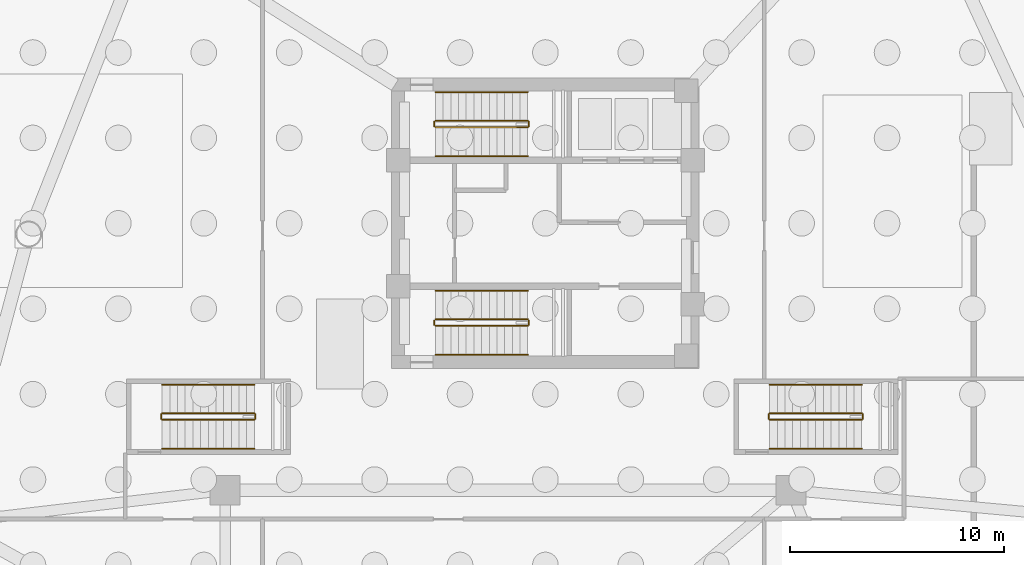
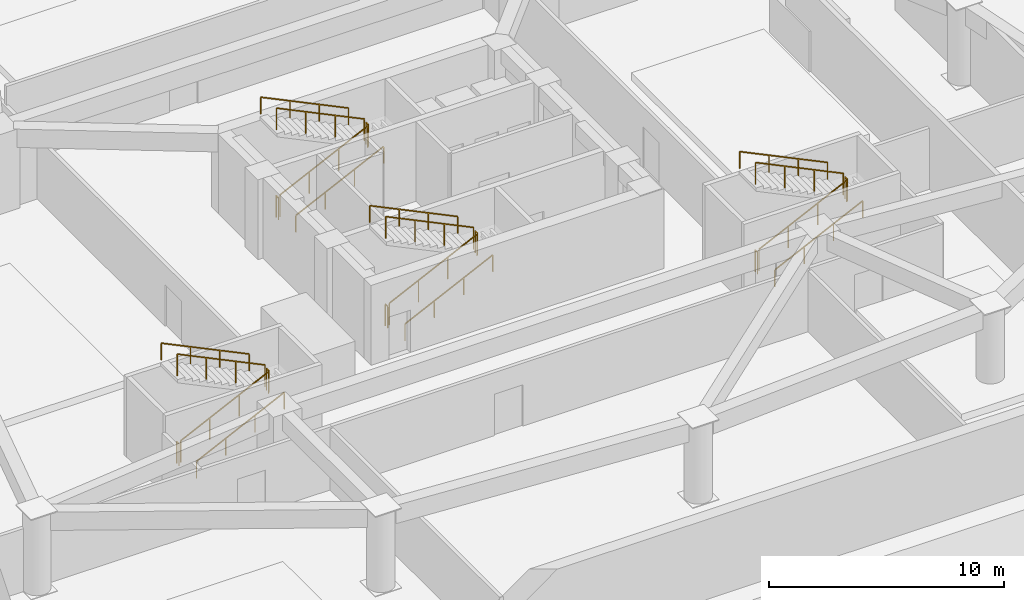
# One storey, part 9 of 11: 24 railings.
"""IFC4 building model written with IfcOpenShell, lengths in metres."""

from ifc_helpers import new_model, si_unit, direction, frame, origin, origin_2d, place, context, subcontext, project, spatial, rectangle, extrude, material, type_object, element, save


model = new_model("IFC4")

# Units and contexts
model_context = context("Model", 3, precision=1e-05, world=origin(), true_north=direction((0.0, 1.0)))
body_context = subcontext(model_context, "Body", "Model", "MODEL_VIEW")
ifc_project = project(units=[si_unit("LENGTHUNIT", "METRE"), si_unit("AREAUNIT", "SQUARE_METRE"), si_unit("VOLUMEUNIT", "CUBIC_METRE"), si_unit("PLANEANGLEUNIT", "RADIAN"), si_unit("MASSUNIT", "GRAM", prefix="KILO")], contexts=[model_context])

# Site, building, storey
site_placement = place(None, origin())
site = spatial("IfcSite", under=ifc_project, at=site_placement, CompositionType="ELEMENT")
building_placement = place(site_placement, origin())
building = spatial("IfcBuilding", under=site, at=building_placement, Name="Tavelor Broadcast Tower", CompositionType="ELEMENT")
storey_placement = place(building_placement, frame((0.0, 0.0, -8.699951171875)))
storey = spatial("IfcBuildingStorey", under=building, at=storey_placement, Name="B02", CompositionType="ELEMENT", Elevation=-8.699951171875)

# Railings
ifc_material = material(Name="Steel S355", Category="steel")
railing_type_1 = type_object("IfcRailingType", Name="Continuous Brushed Stainless Handrail 900 mm", PredefinedType="HANDRAIL", material=ifc_material)
railing_1_placement = place(storey_placement, frame((44.85009765625, 48.14990234375, 0.173095703125)))
element("IfcRailing", 1, at=railing_1_placement, inside=storey, type_object=railing_type_1, Name="B02 ST1 stair handrail 1", PredefinedType="HANDRAIL", context=body_context, shape_type="SweptSolid", body=[
    extrude(rectangle(XDim=0.048095703125, YDim=0.048095703125, at=origin_2d()), frame((0.0, 0.0, 0.8759765625), z_axis=(0.901247069301, 0.0, 0.433305573558), x_axis=(0.0, 1.0, 0.0)), (0.0, 0.0, 1.0), 4.793212890625),
    extrude(rectangle(XDim=0.0419921875, YDim=0.0419921875, at=origin_2d()), origin(), (0.0, 0.0, 1.0), 0.851806640625),
    extrude(rectangle(XDim=0.0419921875, YDim=0.0419921875, at=origin_2d()), frame((1.43994140625, 0.0, 0.6923828125)), (0.0, 0.0, 1.0), 0.851806640625),
    extrude(rectangle(XDim=0.0419921875, YDim=0.0419921875, at=origin_2d()), frame((2.8798828125, 0.0, 1.384521484375)), (0.0, 0.0, 1.0), 0.851806640625),
    extrude(rectangle(XDim=0.0419921875, YDim=0.0419921875, at=origin_2d()), frame((4.31982421875, 0.0, 2.076904296875)), (0.0, 0.0, 1.0), 0.851806640625),
])
railing_2_placement = place(storey_placement, frame((49.169921875, 51.14990234375, 2.423095703125)))
element("IfcRailing", 2, at=railing_2_placement, inside=storey, type_object=railing_type_1, Name="B02 ST1 stair handrail 2", PredefinedType="HANDRAIL", context=body_context, shape_type="SweptSolid", body=[
    extrude(rectangle(XDim=0.048095703125, YDim=0.048095703125, at=origin_2d()), frame((0.0, 0.0, 0.8759765625), z_axis=(-0.901247069301, 0.0, 0.433305573558), x_axis=(0.0, -1.0, 0.0)), (0.0, 0.0, 1.0), 4.793212890625),
    extrude(rectangle(XDim=0.0419921875, YDim=0.0419921875, at=origin_2d()), origin(), (0.0, 0.0, 1.0), 0.851806640625),
    extrude(rectangle(XDim=0.0419921875, YDim=0.0419921875, at=origin_2d()), frame((-1.43994140625, 0.0, 0.6923828125)), (0.0, 0.0, 1.0), 0.851806640625),
    extrude(rectangle(XDim=0.0419921875, YDim=0.0419921875, at=origin_2d()), frame((-2.8798828125, 0.0, 1.384521484375)), (0.0, 0.0, 1.0), 0.851806640625),
    extrude(rectangle(XDim=0.0419921875, YDim=0.0419921875, at=origin_2d()), frame((-4.31982421875, 0.0, 2.076904296875)), (0.0, 0.0, 1.0), 0.851806640625),
])
railing_3_placement = place(storey_placement, frame((44.85009765625, 38.85009765625, 0.173095703125)))
element("IfcRailing", 3, at=railing_3_placement, inside=storey, type_object=railing_type_1, Name="B02 ST2 stair handrail 1", PredefinedType="HANDRAIL", context=body_context, shape_type="SweptSolid", body=[
    extrude(rectangle(XDim=0.048095703125, YDim=0.048095703125, at=origin_2d()), frame((0.0, 0.0, 0.8759765625), z_axis=(0.901247069301, 0.0, 0.433305573558), x_axis=(0.0, 1.0, 0.0)), (0.0, 0.0, 1.0), 4.793212890625),
    extrude(rectangle(XDim=0.0419921875, YDim=0.0419921875, at=origin_2d()), origin(), (0.0, 0.0, 1.0), 0.851806640625),
    extrude(rectangle(XDim=0.0419921875, YDim=0.0419921875, at=origin_2d()), frame((1.43994140625, 0.0, 0.6923828125)), (0.0, 0.0, 1.0), 0.851806640625),
    extrude(rectangle(XDim=0.0419921875, YDim=0.0419921875, at=origin_2d()), frame((2.8798828125, 0.0, 1.384521484375)), (0.0, 0.0, 1.0), 0.851806640625),
    extrude(rectangle(XDim=0.0419921875, YDim=0.0419921875, at=origin_2d()), frame((4.31982421875, 0.0, 2.076904296875)), (0.0, 0.0, 1.0), 0.851806640625),
])
railing_4_placement = place(storey_placement, frame((49.169921875, 41.85009765625, 2.423095703125)))
element("IfcRailing", 4, at=railing_4_placement, inside=storey, type_object=railing_type_1, Name="B02 ST2 stair handrail 2", PredefinedType="HANDRAIL", context=body_context, shape_type="SweptSolid", body=[
    extrude(rectangle(XDim=0.048095703125, YDim=0.048095703125, at=origin_2d()), frame((0.0, 0.0, 0.8759765625), z_axis=(-0.901247069301, 0.0, 0.433305573558), x_axis=(0.0, -1.0, 0.0)), (0.0, 0.0, 1.0), 4.793212890625),
    extrude(rectangle(XDim=0.0419921875, YDim=0.0419921875, at=origin_2d()), origin(), (0.0, 0.0, 1.0), 0.851806640625),
    extrude(rectangle(XDim=0.0419921875, YDim=0.0419921875, at=origin_2d()), frame((-1.43994140625, 0.0, 0.6923828125)), (0.0, 0.0, 1.0), 0.851806640625),
    extrude(rectangle(XDim=0.0419921875, YDim=0.0419921875, at=origin_2d()), frame((-2.8798828125, 0.0, 1.384521484375)), (0.0, 0.0, 1.0), 0.851806640625),
    extrude(rectangle(XDim=0.0419921875, YDim=0.0419921875, at=origin_2d()), frame((-4.31982421875, 0.0, 2.076904296875)), (0.0, 0.0, 1.0), 0.851806640625),
])
railing_5_placement = place(storey_placement, frame((32.050048828125, 34.449951171875, 0.173095703125)))
element("IfcRailing", 5, at=railing_5_placement, inside=storey, type_object=railing_type_1, Name="B02 ST3 stair handrail 1", PredefinedType="HANDRAIL", context=body_context, shape_type="SweptSolid", body=[
    extrude(rectangle(XDim=0.048095703125, YDim=0.048095703125, at=origin_2d()), frame((0.0, 0.0, 0.8759765625), z_axis=(0.901256631912, 0.0, 0.433285683395), x_axis=(0.0, 1.0, 0.0)), (0.0, 0.0, 1.0), 4.79345703125),
    extrude(rectangle(XDim=0.0419921875, YDim=0.0419921875, at=origin_2d()), origin(), (0.0, 0.0, 1.0), 0.851806640625),
    extrude(rectangle(XDim=0.0419921875, YDim=0.0419921875, at=origin_2d()), frame((1.43994140625, 0.0, 0.6923828125)), (0.0, 0.0, 1.0), 0.851806640625),
    extrude(rectangle(XDim=0.0419921875, YDim=0.0419921875, at=origin_2d()), frame((2.880126953125, 0.0, 1.384521484375)), (0.0, 0.0, 1.0), 0.851806640625),
    extrude(rectangle(XDim=0.0419921875, YDim=0.0419921875, at=origin_2d()), frame((4.320068359375, 0.0, 2.076904296875)), (0.0, 0.0, 1.0), 0.851806640625),
])
railing_6_placement = place(storey_placement, frame((36.3701171875, 37.449951171875, 2.423095703125)))
element("IfcRailing", 6, at=railing_6_placement, inside=storey, type_object=railing_type_1, Name="B02 ST3 stair handrail 2", PredefinedType="HANDRAIL", context=body_context, shape_type="SweptSolid", body=[
    extrude(rectangle(XDim=0.048095703125, YDim=0.048095703125, at=origin_2d()), frame((0.0, 0.0, 0.8759765625), z_axis=(-0.901256631912, 0.0, 0.433285683395), x_axis=(0.0, -1.0, 0.0)), (0.0, 0.0, 1.0), 4.79345703125),
    extrude(rectangle(XDim=0.0419921875, YDim=0.0419921875, at=origin_2d()), origin(), (0.0, 0.0, 1.0), 0.851806640625),
    extrude(rectangle(XDim=0.0419921875, YDim=0.0419921875, at=origin_2d()), frame((-1.43994140625, 0.0, 0.6923828125)), (0.0, 0.0, 1.0), 0.851806640625),
    extrude(rectangle(XDim=0.0419921875, YDim=0.0419921875, at=origin_2d()), frame((-2.880126953125, 0.0, 1.384521484375)), (0.0, 0.0, 1.0), 0.851806640625),
    extrude(rectangle(XDim=0.0419921875, YDim=0.0419921875, at=origin_2d()), frame((-4.320068359375, 0.0, 2.076904296875)), (0.0, 0.0, 1.0), 0.851806640625),
])
railing_7_placement = place(storey_placement, frame((60.5, 34.449951171875, 0.173095703125)))
element("IfcRailing", 7, at=railing_7_placement, inside=storey, type_object=railing_type_1, Name="B02 ST4 stair handrail 1", PredefinedType="HANDRAIL", context=body_context, shape_type="SweptSolid", body=[
    extrude(rectangle(XDim=0.048095703125, YDim=0.048095703125, at=origin_2d()), frame((0.0, 0.0, 0.8759765625), z_axis=(0.901256631912, 0.0, 0.433285683395), x_axis=(0.0, 1.0, 0.0)), (0.0, 0.0, 1.0), 4.79345703125),
    extrude(rectangle(XDim=0.0419921875, YDim=0.0419921875, at=origin_2d()), origin(), (0.0, 0.0, 1.0), 0.851806640625),
    extrude(rectangle(XDim=0.0419921875, YDim=0.0419921875, at=origin_2d()), frame((1.43994140625, 0.0, 0.6923828125)), (0.0, 0.0, 1.0), 0.851806640625),
    extrude(rectangle(XDim=0.0419921875, YDim=0.0419921875, at=origin_2d()), frame((2.880126953125, 0.0, 1.384521484375)), (0.0, 0.0, 1.0), 0.851806640625),
    extrude(rectangle(XDim=0.0419921875, YDim=0.0419921875, at=origin_2d()), frame((4.320068359375, 0.0, 2.076904296875)), (0.0, 0.0, 1.0), 0.851806640625),
])
railing_8_placement = place(storey_placement, frame((64.820068359375, 37.449951171875, 2.423095703125)))
element("IfcRailing", 8, at=railing_8_placement, inside=storey, type_object=railing_type_1, Name="B02 ST4 stair handrail 2", PredefinedType="HANDRAIL", context=body_context, shape_type="SweptSolid", body=[
    extrude(rectangle(XDim=0.048095703125, YDim=0.048095703125, at=origin_2d()), frame((0.0, 0.0, 0.8759765625), z_axis=(-0.901256631912, 0.0, 0.433285683395), x_axis=(0.0, -1.0, 0.0)), (0.0, 0.0, 1.0), 4.79345703125),
    extrude(rectangle(XDim=0.0419921875, YDim=0.0419921875, at=origin_2d()), origin(), (0.0, 0.0, 1.0), 0.851806640625),
    extrude(rectangle(XDim=0.0419921875, YDim=0.0419921875, at=origin_2d()), frame((-1.43994140625, 0.0, 0.6923828125)), (0.0, 0.0, 1.0), 0.851806640625),
    extrude(rectangle(XDim=0.0419921875, YDim=0.0419921875, at=origin_2d()), frame((-2.880126953125, 0.0, 1.384521484375)), (0.0, 0.0, 1.0), 0.851806640625),
    extrude(rectangle(XDim=0.0419921875, YDim=0.0419921875, at=origin_2d()), frame((-4.320068359375, 0.0, 2.076904296875)), (0.0, 0.0, 1.0), 0.851806640625),
])
railing_type_2 = type_object("IfcRailingType", Name="Stairwell Steel Safety Guardrail 1150 mm", PredefinedType="GUARDRAIL", material=ifc_material)
railing_9_placement = place(storey_placement, frame((44.85009765625, 49.5, 0.173095703125)))
element("IfcRailing", 9, at=railing_9_placement, inside=storey, type_object=railing_type_2, Name="B02 ST1 stair guard 1", PredefinedType="GUARDRAIL", context=body_context, shape_type="SweptSolid", body=[
    extrude(rectangle(XDim=0.048095703125, YDim=0.048095703125, at=origin_2d()), frame((0.0, 0.0, 1.1259765625), z_axis=(0.901247069301, 0.0, 0.433305573558), x_axis=(0.0, 1.0, 0.0)), (0.0, 0.0, 1.0), 4.793212890625),
    extrude(rectangle(XDim=0.0419921875, YDim=0.0419921875, at=origin_2d()), origin(), (0.0, 0.0, 1.0), 1.101806640625),
    extrude(rectangle(XDim=0.0419921875, YDim=0.0419921875, at=origin_2d()), frame((1.43994140625, 0.0, 0.6923828125)), (0.0, 0.0, 1.0), 1.101806640625),
    extrude(rectangle(XDim=0.0419921875, YDim=0.0419921875, at=origin_2d()), frame((2.8798828125, 0.0, 1.384521484375)), (0.0, 0.0, 1.0), 1.101806640625),
    extrude(rectangle(XDim=0.0419921875, YDim=0.0419921875, at=origin_2d()), frame((4.31982421875, 0.0, 2.076904296875)), (0.0, 0.0, 1.0), 1.101806640625),
])
railing_10_placement = place(storey_placement, frame((49.219970703125, 49.550048828125, 2.25)))
element("IfcRailing", 10, at=railing_10_placement, inside=storey, type_object=railing_type_2, Name="B02 ST1 stair guard 2", PredefinedType="GUARDRAIL", context=body_context, shape_type="SweptSolid", body=[
    extrude(rectangle(XDim=0.048095703125, YDim=0.048095703125, at=origin_2d()), frame((0.0, 0.0, 1.1259765625), z_axis=(0.0, 1.0, 0.0), x_axis=(-1.0, 0.0, 0.0)), (0.0, 0.0, 1.0), 0.199951171875),
    extrude(rectangle(XDim=0.0419921875, YDim=0.0419921875, at=origin_2d()), origin(), (0.0, 0.0, 1.0), 1.101806640625),
    extrude(rectangle(XDim=0.0419921875, YDim=0.0419921875, at=origin_2d()), frame((0.0, 0.199951171875, 0.0)), (0.0, 0.0, 1.0), 1.101806640625),
])
railing_11_placement = place(storey_placement, frame((49.169921875, 49.800048828125, 2.423095703125)))
element("IfcRailing", 11, at=railing_11_placement, inside=storey, type_object=railing_type_2, Name="B02 ST1 stair guard 3", PredefinedType="GUARDRAIL", context=body_context, shape_type="SweptSolid", body=[
    extrude(rectangle(XDim=0.048095703125, YDim=0.048095703125, at=origin_2d()), frame((0.0, 0.0, 1.1259765625), z_axis=(-0.901247069301, 0.0, 0.433305573558), x_axis=(0.0, -1.0, 0.0)), (0.0, 0.0, 1.0), 4.793212890625),
    extrude(rectangle(XDim=0.0419921875, YDim=0.0419921875, at=origin_2d()), origin(), (0.0, 0.0, 1.0), 1.101806640625),
    extrude(rectangle(XDim=0.0419921875, YDim=0.0419921875, at=origin_2d()), frame((-1.43994140625, 0.0, 0.6923828125)), (0.0, 0.0, 1.0), 1.101806640625),
    extrude(rectangle(XDim=0.0419921875, YDim=0.0419921875, at=origin_2d()), frame((-2.8798828125, 0.0, 1.384521484375)), (0.0, 0.0, 1.0), 1.101806640625),
    extrude(rectangle(XDim=0.0419921875, YDim=0.0419921875, at=origin_2d()), frame((-4.31982421875, 0.0, 2.076904296875)), (0.0, 0.0, 1.0), 1.101806640625),
])
railing_12_placement = place(storey_placement, frame((44.800048828125, 49.550048828125, 0.0)))
element("IfcRailing", 12, at=railing_12_placement, inside=storey, type_object=railing_type_2, Name="B02 ST1 stair guard 4", PredefinedType="GUARDRAIL", context=body_context, shape_type="SweptSolid", body=[
    extrude(rectangle(XDim=0.048095703125, YDim=0.048095703125, at=origin_2d()), frame((0.0, 0.0, 1.1259765625), z_axis=(0.0, 1.0, 0.0), x_axis=(-1.0, 0.0, 0.0)), (0.0, 0.0, 1.0), 0.199951171875),
    extrude(rectangle(XDim=0.0419921875, YDim=0.0419921875, at=origin_2d()), origin(), (0.0, 0.0, 1.0), 1.101806640625),
    extrude(rectangle(XDim=0.0419921875, YDim=0.0419921875, at=origin_2d()), frame((0.0, 0.199951171875, 0.0)), (0.0, 0.0, 1.0), 1.101806640625),
])
railing_13_placement = place(storey_placement, frame((44.85009765625, 40.199951171875, 0.173095703125)))
element("IfcRailing", 13, at=railing_13_placement, inside=storey, type_object=railing_type_2, Name="B02 ST2 stair guard 1", PredefinedType="GUARDRAIL", context=body_context, shape_type="SweptSolid", body=[
    extrude(rectangle(XDim=0.048095703125, YDim=0.048095703125, at=origin_2d()), frame((0.0, 0.0, 1.1259765625), z_axis=(0.901247069301, 0.0, 0.433305573558), x_axis=(0.0, 1.0, 0.0)), (0.0, 0.0, 1.0), 4.793212890625),
    extrude(rectangle(XDim=0.0419921875, YDim=0.0419921875, at=origin_2d()), origin(), (0.0, 0.0, 1.0), 1.101806640625),
    extrude(rectangle(XDim=0.0419921875, YDim=0.0419921875, at=origin_2d()), frame((1.43994140625, 0.0, 0.6923828125)), (0.0, 0.0, 1.0), 1.101806640625),
    extrude(rectangle(XDim=0.0419921875, YDim=0.0419921875, at=origin_2d()), frame((2.8798828125, 0.0, 1.384521484375)), (0.0, 0.0, 1.0), 1.101806640625),
    extrude(rectangle(XDim=0.0419921875, YDim=0.0419921875, at=origin_2d()), frame((4.31982421875, 0.0, 2.076904296875)), (0.0, 0.0, 1.0), 1.101806640625),
])
railing_14_placement = place(storey_placement, frame((49.219970703125, 40.25, 2.25)))
element("IfcRailing", 14, at=railing_14_placement, inside=storey, type_object=railing_type_2, Name="B02 ST2 stair guard 2", PredefinedType="GUARDRAIL", context=body_context, shape_type="SweptSolid", body=[
    extrude(rectangle(XDim=0.048095703125, YDim=0.048095703125, at=origin_2d()), frame((0.0, 0.0, 1.1259765625), z_axis=(0.0, 1.0, 0.0), x_axis=(-1.0, 0.0, 0.0)), (0.0, 0.0, 1.0), 0.199951171875),
    extrude(rectangle(XDim=0.0419921875, YDim=0.0419921875, at=origin_2d()), origin(), (0.0, 0.0, 1.0), 1.101806640625),
    extrude(rectangle(XDim=0.0419921875, YDim=0.0419921875, at=origin_2d()), frame((0.0, 0.199951171875, 0.0)), (0.0, 0.0, 1.0), 1.101806640625),
])
railing_15_placement = place(storey_placement, frame((49.169921875, 40.5, 2.423095703125)))
element("IfcRailing", 15, at=railing_15_placement, inside=storey, type_object=railing_type_2, Name="B02 ST2 stair guard 3", PredefinedType="GUARDRAIL", context=body_context, shape_type="SweptSolid", body=[
    extrude(rectangle(XDim=0.048095703125, YDim=0.048095703125, at=origin_2d()), frame((0.0, 0.0, 1.1259765625), z_axis=(-0.901247069301, 0.0, 0.433305573558), x_axis=(0.0, -1.0, 0.0)), (0.0, 0.0, 1.0), 4.793212890625),
    extrude(rectangle(XDim=0.0419921875, YDim=0.0419921875, at=origin_2d()), origin(), (0.0, 0.0, 1.0), 1.101806640625),
    extrude(rectangle(XDim=0.0419921875, YDim=0.0419921875, at=origin_2d()), frame((-1.43994140625, 0.0, 0.6923828125)), (0.0, 0.0, 1.0), 1.101806640625),
    extrude(rectangle(XDim=0.0419921875, YDim=0.0419921875, at=origin_2d()), frame((-2.8798828125, 0.0, 1.384521484375)), (0.0, 0.0, 1.0), 1.101806640625),
    extrude(rectangle(XDim=0.0419921875, YDim=0.0419921875, at=origin_2d()), frame((-4.31982421875, 0.0, 2.076904296875)), (0.0, 0.0, 1.0), 1.101806640625),
])
railing_16_placement = place(storey_placement, frame((44.800048828125, 40.25, 0.0)))
element("IfcRailing", 16, at=railing_16_placement, inside=storey, type_object=railing_type_2, Name="B02 ST2 stair guard 4", PredefinedType="GUARDRAIL", context=body_context, shape_type="SweptSolid", body=[
    extrude(rectangle(XDim=0.048095703125, YDim=0.048095703125, at=origin_2d()), frame((0.0, 0.0, 1.1259765625), z_axis=(0.0, 1.0, 0.0), x_axis=(-1.0, 0.0, 0.0)), (0.0, 0.0, 1.0), 0.199951171875),
    extrude(rectangle(XDim=0.0419921875, YDim=0.0419921875, at=origin_2d()), origin(), (0.0, 0.0, 1.0), 1.101806640625),
    extrude(rectangle(XDim=0.0419921875, YDim=0.0419921875, at=origin_2d()), frame((0.0, 0.199951171875, 0.0)), (0.0, 0.0, 1.0), 1.101806640625),
])
railing_17_placement = place(storey_placement, frame((32.050048828125, 35.800048828125, 0.173095703125)))
element("IfcRailing", 17, at=railing_17_placement, inside=storey, type_object=railing_type_2, Name="B02 ST3 stair guard 1", PredefinedType="GUARDRAIL", context=body_context, shape_type="SweptSolid", body=[
    extrude(rectangle(XDim=0.048095703125, YDim=0.048095703125, at=origin_2d()), frame((0.0, 0.0, 1.1259765625), z_axis=(0.901256631912, 0.0, 0.433285683395), x_axis=(0.0, 1.0, 0.0)), (0.0, 0.0, 1.0), 4.79345703125),
    extrude(rectangle(XDim=0.0419921875, YDim=0.0419921875, at=origin_2d()), origin(), (0.0, 0.0, 1.0), 1.101806640625),
    extrude(rectangle(XDim=0.0419921875, YDim=0.0419921875, at=origin_2d()), frame((1.43994140625, 0.0, 0.6923828125)), (0.0, 0.0, 1.0), 1.101806640625),
    extrude(rectangle(XDim=0.0419921875, YDim=0.0419921875, at=origin_2d()), frame((2.880126953125, 0.0, 1.384521484375)), (0.0, 0.0, 1.0), 1.101806640625),
    extrude(rectangle(XDim=0.0419921875, YDim=0.0419921875, at=origin_2d()), frame((4.320068359375, 0.0, 2.076904296875)), (0.0, 0.0, 1.0), 1.101806640625),
])
railing_18_placement = place(storey_placement, frame((36.419921875, 35.85009765625, 2.25)))
element("IfcRailing", 18, at=railing_18_placement, inside=storey, type_object=railing_type_2, Name="B02 ST3 stair guard 2", PredefinedType="GUARDRAIL", context=body_context, shape_type="SweptSolid", body=[
    extrude(rectangle(XDim=0.048095703125, YDim=0.048095703125, at=origin_2d()), frame((0.0, 0.0, 1.1259765625), z_axis=(0.0, 1.0, 0.0), x_axis=(-1.0, 0.0, 0.0)), (0.0, 0.0, 1.0), 0.199951171875),
    extrude(rectangle(XDim=0.0419921875, YDim=0.0419921875, at=origin_2d()), origin(), (0.0, 0.0, 1.0), 1.101806640625),
    extrude(rectangle(XDim=0.0419921875, YDim=0.0419921875, at=origin_2d()), frame((0.0, 0.199951171875, 0.0)), (0.0, 0.0, 1.0), 1.101806640625),
])
railing_19_placement = place(storey_placement, frame((36.3701171875, 36.10009765625, 2.423095703125)))
element("IfcRailing", 19, at=railing_19_placement, inside=storey, type_object=railing_type_2, Name="B02 ST3 stair guard 3", PredefinedType="GUARDRAIL", context=body_context, shape_type="SweptSolid", body=[
    extrude(rectangle(XDim=0.048095703125, YDim=0.048095703125, at=origin_2d()), frame((0.0, 0.0, 1.1259765625), z_axis=(-0.901256631912, 0.0, 0.433285683395), x_axis=(0.0, -1.0, 0.0)), (0.0, 0.0, 1.0), 4.79345703125),
    extrude(rectangle(XDim=0.0419921875, YDim=0.0419921875, at=origin_2d()), origin(), (0.0, 0.0, 1.0), 1.101806640625),
    extrude(rectangle(XDim=0.0419921875, YDim=0.0419921875, at=origin_2d()), frame((-1.43994140625, 0.0, 0.6923828125)), (0.0, 0.0, 1.0), 1.101806640625),
    extrude(rectangle(XDim=0.0419921875, YDim=0.0419921875, at=origin_2d()), frame((-2.880126953125, 0.0, 1.384521484375)), (0.0, 0.0, 1.0), 1.101806640625),
    extrude(rectangle(XDim=0.0419921875, YDim=0.0419921875, at=origin_2d()), frame((-4.320068359375, 0.0, 2.076904296875)), (0.0, 0.0, 1.0), 1.101806640625),
])
railing_20_placement = place(storey_placement, frame((32.0, 35.85009765625, 0.0)))
element("IfcRailing", 20, at=railing_20_placement, inside=storey, type_object=railing_type_2, Name="B02 ST3 stair guard 4", PredefinedType="GUARDRAIL", context=body_context, shape_type="SweptSolid", body=[
    extrude(rectangle(XDim=0.048095703125, YDim=0.048095703125, at=origin_2d()), frame((0.0, 0.0, 1.1259765625), z_axis=(0.0, 1.0, 0.0), x_axis=(-1.0, 0.0, 0.0)), (0.0, 0.0, 1.0), 0.199951171875),
    extrude(rectangle(XDim=0.0419921875, YDim=0.0419921875, at=origin_2d()), origin(), (0.0, 0.0, 1.0), 1.101806640625),
    extrude(rectangle(XDim=0.0419921875, YDim=0.0419921875, at=origin_2d()), frame((0.0, 0.199951171875, 0.0)), (0.0, 0.0, 1.0), 1.101806640625),
])
railing_21_placement = place(storey_placement, frame((60.5, 35.800048828125, 0.173095703125)))
element("IfcRailing", 21, at=railing_21_placement, inside=storey, type_object=railing_type_2, Name="B02 ST4 stair guard 1", PredefinedType="GUARDRAIL", context=body_context, shape_type="SweptSolid", body=[
    extrude(rectangle(XDim=0.048095703125, YDim=0.048095703125, at=origin_2d()), frame((0.0, 0.0, 1.1259765625), z_axis=(0.901256631912, 0.0, 0.433285683395), x_axis=(0.0, 1.0, 0.0)), (0.0, 0.0, 1.0), 4.79345703125),
    extrude(rectangle(XDim=0.0419921875, YDim=0.0419921875, at=origin_2d()), origin(), (0.0, 0.0, 1.0), 1.101806640625),
    extrude(rectangle(XDim=0.0419921875, YDim=0.0419921875, at=origin_2d()), frame((1.43994140625, 0.0, 0.6923828125)), (0.0, 0.0, 1.0), 1.101806640625),
    extrude(rectangle(XDim=0.0419921875, YDim=0.0419921875, at=origin_2d()), frame((2.880126953125, 0.0, 1.384521484375)), (0.0, 0.0, 1.0), 1.101806640625),
    extrude(rectangle(XDim=0.0419921875, YDim=0.0419921875, at=origin_2d()), frame((4.320068359375, 0.0, 2.076904296875)), (0.0, 0.0, 1.0), 1.101806640625),
])
railing_22_placement = place(storey_placement, frame((64.8701171875, 35.85009765625, 2.25)))
element("IfcRailing", 22, at=railing_22_placement, inside=storey, type_object=railing_type_2, Name="B02 ST4 stair guard 2", PredefinedType="GUARDRAIL", context=body_context, shape_type="SweptSolid", body=[
    extrude(rectangle(XDim=0.048095703125, YDim=0.048095703125, at=origin_2d()), frame((0.0, 0.0, 1.1259765625), z_axis=(0.0, 1.0, 0.0), x_axis=(-1.0, 0.0, 0.0)), (0.0, 0.0, 1.0), 0.199951171875),
    extrude(rectangle(XDim=0.0419921875, YDim=0.0419921875, at=origin_2d()), origin(), (0.0, 0.0, 1.0), 1.101806640625),
    extrude(rectangle(XDim=0.0419921875, YDim=0.0419921875, at=origin_2d()), frame((0.0, 0.199951171875, 0.0)), (0.0, 0.0, 1.0), 1.101806640625),
])
railing_23_placement = place(storey_placement, frame((64.820068359375, 36.10009765625, 2.423095703125)))
element("IfcRailing", 23, at=railing_23_placement, inside=storey, type_object=railing_type_2, Name="B02 ST4 stair guard 3", PredefinedType="GUARDRAIL", context=body_context, shape_type="SweptSolid", body=[
    extrude(rectangle(XDim=0.048095703125, YDim=0.048095703125, at=origin_2d()), frame((0.0, 0.0, 1.1259765625), z_axis=(-0.901256631912, 0.0, 0.433285683395), x_axis=(0.0, -1.0, 0.0)), (0.0, 0.0, 1.0), 4.79345703125),
    extrude(rectangle(XDim=0.0419921875, YDim=0.0419921875, at=origin_2d()), origin(), (0.0, 0.0, 1.0), 1.101806640625),
    extrude(rectangle(XDim=0.0419921875, YDim=0.0419921875, at=origin_2d()), frame((-1.43994140625, 0.0, 0.6923828125)), (0.0, 0.0, 1.0), 1.101806640625),
    extrude(rectangle(XDim=0.0419921875, YDim=0.0419921875, at=origin_2d()), frame((-2.880126953125, 0.0, 1.384521484375)), (0.0, 0.0, 1.0), 1.101806640625),
    extrude(rectangle(XDim=0.0419921875, YDim=0.0419921875, at=origin_2d()), frame((-4.320068359375, 0.0, 2.076904296875)), (0.0, 0.0, 1.0), 1.101806640625),
])
railing_24_placement = place(storey_placement, frame((60.449951171875, 35.85009765625, 0.0)))
element("IfcRailing", 24, at=railing_24_placement, inside=storey, type_object=railing_type_2, Name="B02 ST4 stair guard 4", PredefinedType="GUARDRAIL", context=body_context, shape_type="SweptSolid", body=[
    extrude(rectangle(XDim=0.048095703125, YDim=0.048095703125, at=origin_2d()), frame((0.0, 0.0, 1.1259765625), z_axis=(0.0, 1.0, 0.0), x_axis=(-1.0, 0.0, 0.0)), (0.0, 0.0, 1.0), 0.199951171875),
    extrude(rectangle(XDim=0.0419921875, YDim=0.0419921875, at=origin_2d()), origin(), (0.0, 0.0, 1.0), 1.101806640625),
    extrude(rectangle(XDim=0.0419921875, YDim=0.0419921875, at=origin_2d()), frame((0.0, 0.199951171875, 0.0)), (0.0, 0.0, 1.0), 1.101806640625),
])

save(model, "model.ifc")
